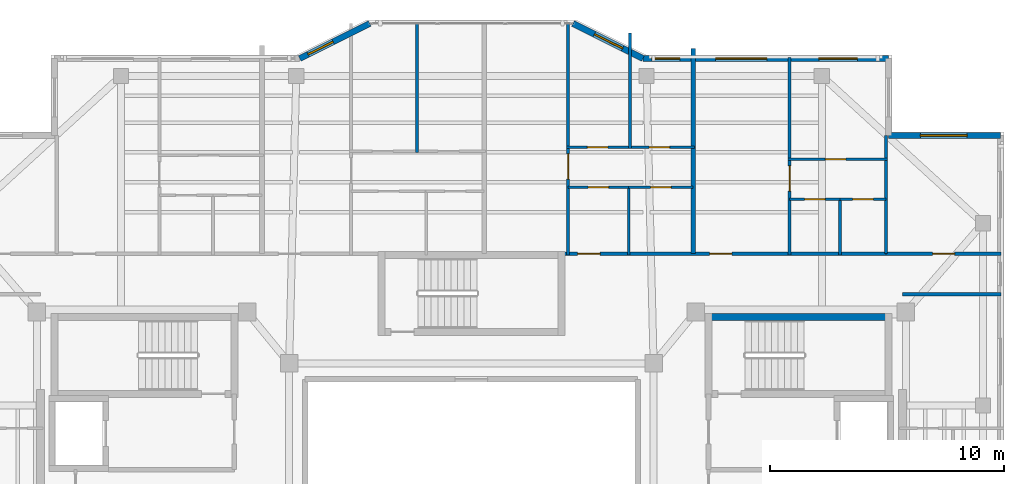
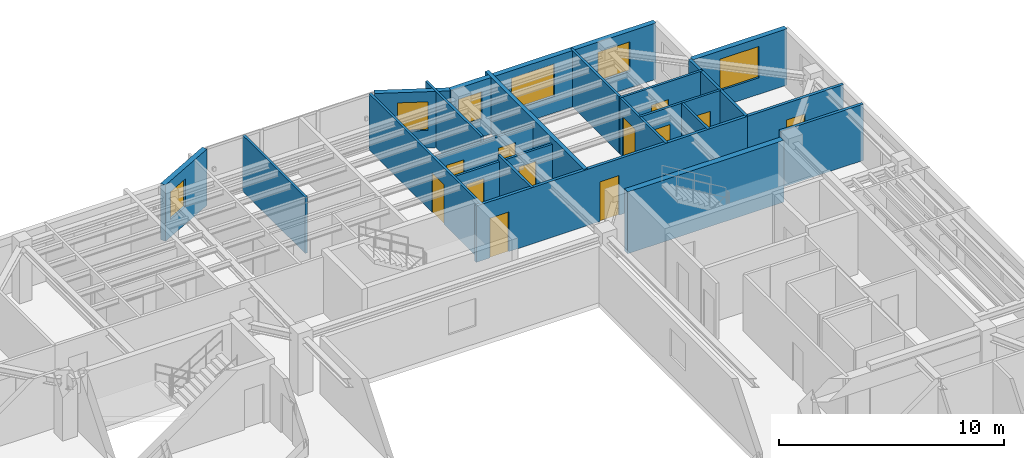
# One storey, part 11 of 15: 22 walls, 12 doors, 6 windows, 18 openings.
"""IFC4 building model written with IfcOpenShell, lengths in metres."""

import ifcopenshell
import ifcopenshell.guid

model = None  # the IFC model being written
_history = None  # IfcOwnerHistory: only IFC2X3 demands one
_inside = {}  # id of a spatial element -> (the spatial element, [elements in it])
_under = {}  # id of a project, library or spatial element -> (it, [spatial elements below it])
_declared = {}  # id of a project -> (the project, [libraries it declares])
_typed = {}  # id of a type object -> (the type object, [elements of that type])
_made_of = {}  # id of a material, layer set ... -> (it, [elements and type objects made of it])


def new_model(schema):
    """Start an empty IFC model of exactly this schema.

    Asked for "IFC4X3", IfcOpenShell would pick the latest addendum, in which some entities
    have other attributes; the version numbers below select the first issue.
    IFC2X3 requires an IfcOwnerHistory on every rooted entity: one is made here for all.
    """
    global model, _history
    if schema == "IFC4X3":
        model = ifcopenshell.file(schema_version=(4, 3, 0, 0))
    else:
        model = ifcopenshell.file(schema=schema)
    _inside.clear()
    _under.clear()
    _declared.clear()
    _typed.clear()
    _made_of.clear()
    _history = None
    if model.schema == "IFC2X3":
        org = make("IfcOrganization", Name="unknown")
        user = make(
            "IfcPersonAndOrganization",
            ThePerson=make("IfcPerson", FamilyName="unknown"),
            TheOrganization=org,
        )
        app = make(
            "IfcApplication",
            ApplicationDeveloper=org,
            Version="unknown",
            ApplicationFullName="unknown",
            ApplicationIdentifier="unknown",
        )
        _history = make(
            "IfcOwnerHistory",
            OwningUser=user,
            OwningApplication=app,
            ChangeAction="ADDED",
            CreationDate=0,
        )
    return model


def make(cls, **values):
    """One entity of the class cls with the attributes given. An attribute that is None is left unset."""
    return model.create_entity(
        cls, **{name: value for name, value in values.items() if value is not None}
    )


def rooted(cls, **values):
    """An entity with a GlobalId (a new one), such as an element, a storey or a relation."""
    return make(cls, GlobalId=ifcopenshell.guid.new(), OwnerHistory=_history, **values)


def si_unit(unit_type, name, prefix=None):
    """IfcSIUnit, for example si_unit("LENGTHUNIT", "METRE", prefix="MILLI")."""
    return make("IfcSIUnit", UnitType=unit_type, Prefix=prefix, Name=name)


def assignment(units):
    """IfcUnitAssignment: the units of a project."""
    return None if units is None else make("IfcUnitAssignment", Units=units)


def point(xyz):
    """IfcCartesianPoint."""
    return None if xyz is None else make("IfcCartesianPoint", Coordinates=xyz)


def direction(xyz):
    """IfcDirection."""
    return None if xyz is None else make("IfcDirection", DirectionRatios=xyz)


def frame(location, z_axis=None, x_axis=None):
    """IfcAxis2Placement3D, a coordinate frame: its origin and axes. An axis left out is left unset."""
    return make(
        "IfcAxis2Placement3D",
        Location=point(location),
        Axis=direction(z_axis),
        RefDirection=direction(x_axis),
    )


def frame_2d(location, x_axis=None):
    """IfcAxis2Placement2D, a coordinate frame in the plane: its origin and x axis."""
    return make(
        "IfcAxis2Placement2D", Location=point(location), RefDirection=direction(x_axis)
    )


def origin():
    """The frame at (0, 0, 0) with its axes left unset."""
    return frame((0.0, 0.0, 0.0))


def place(relative_to, where):
    """IfcLocalPlacement: puts the frame where relative to a parent placement (None: the world)."""
    return make(
        "IfcLocalPlacement", PlacementRelTo=relative_to, RelativePlacement=where
    )


def context(
    kind, dimensions, precision=None, world=None, true_north=None, identifier=None
):
    """IfcGeometricRepresentationContext, for example the 3D "Model" context."""
    return make(
        "IfcGeometricRepresentationContext",
        ContextIdentifier=identifier,
        ContextType=kind,
        CoordinateSpaceDimension=dimensions,
        Precision=precision,
        WorldCoordinateSystem=world,
        TrueNorth=true_north,
    )


def subcontext(parent, identifier, kind, view, scale=None):
    """IfcGeometricRepresentationSubContext, for example "Body" below "Model"."""
    return make(
        "IfcGeometricRepresentationSubContext",
        ContextIdentifier=identifier,
        ContextType=kind,
        ParentContext=parent,
        TargetScale=scale,
        TargetView=view,
    )


def project(units=None, contexts=None):
    """IfcProject with its units and contexts."""
    return rooted(
        "IfcProject",
        Name="project",
        RepresentationContexts=contexts,
        UnitsInContext=assignment(units),
    )


def spatial(cls, under=None, at=None, **own):
    """A site, building, storey or space (cls), placed at a placement, below another one or the project."""
    s = rooted(cls, ObjectPlacement=at, **own)
    if under is not None:
        _under.setdefault(under.id(), (under, []))[1].append(s)
    return s


def profile(cls, at=None, kind="AREA", **sizes):
    """A parametric profile (cls). Its sizes go by their IFC names, for example OverallWidth=200.0."""
    return make(cls, ProfileType=kind, Position=at, **sizes)


def rectangle(**sizes):
    """IfcRectangleProfileDef."""
    return profile("IfcRectangleProfileDef", **sizes)


def extrude(swept, where, along, depth):
    """IfcExtrudedAreaSolid: the profile swept, set in the frame where, extruded along a direction by depth."""
    return make(
        "IfcExtrudedAreaSolid",
        SweptArea=swept,
        Position=where,
        ExtrudedDirection=direction(along),
        Depth=depth,
    )


def shape(context_of_items, identifier, shape_type, items):
    """IfcShapeRepresentation: the items that make up one representation, for example the "Body"."""
    return make(
        "IfcShapeRepresentation",
        ContextOfItems=context_of_items,
        RepresentationIdentifier=identifier,
        RepresentationType=shape_type,
        Items=items,
    )


def material(Name=None, Category=None):
    """IfcMaterial."""
    return make("IfcMaterial", Name=Name, Category=Category)


def layer(
    of_material, thickness, ventilated=None, Name=None, Category=None, Priority=None
):
    """IfcMaterialLayer: one layer of a wall or slab, of a material (None: an air gap)."""
    return make(
        "IfcMaterialLayer",
        Material=of_material,
        LayerThickness=thickness,
        IsVentilated=ventilated,
        Name=Name,
        Category=Category,
        Priority=Priority,
    )


def layer_set(layers, Name=None):
    """IfcMaterialLayerSet."""
    return make("IfcMaterialLayerSet", MaterialLayers=layers, LayerSetName=Name)


def made_of(thing, what):
    """Note that an element or type object is made of a material, layer set ...; save() writes the relation."""
    if what is not None:
        _made_of.setdefault(what.id(), (what, []))[1].append(thing)
    return thing


def type_object(cls, material=None, **own):
    """A type object (cls), such as IfcWallType, which elements share."""
    return made_of(rooted(cls, **own), material)


def element(
    cls,
    number,
    at=None,
    inside=None,
    cuts=None,
    type_object=None,
    material=None,
    context=None,
    identifier="Body",
    shape_type=None,
    held_by="IfcProductDefinitionShape",
    body=None,
    shapes=None,
    **own,
):
    """One element of the class cls, such as IfcWall. Its Tag is "e" and its number.

    at: its placement. inside: the storey or other place that contains it. cuts: it is an
    opening in that element (IfcRelVoidsElement). A single representation is given by context,
    identifier, shape_type and body (its items); several are given by shapes. held_by: the class
    of the entity that holds the representations. save() writes the other relations.
    """
    e = rooted(cls, Tag="e%d" % number, ObjectPlacement=at, **own)
    if body is not None:
        shapes = [shape(context, identifier, shape_type, body)]
    if shapes is not None:
        e.Representation = make(held_by, Representations=shapes)
    if inside is not None:
        _inside.setdefault(inside.id(), (inside, []))[1].append(e)
    if cuts is not None:
        rooted(
            "IfcRelVoidsElement", RelatingBuildingElement=cuts, RelatedOpeningElement=e
        )
    if type_object is not None:
        _typed.setdefault(type_object.id(), (type_object, []))[1].append(e)
    return made_of(e, material)


def fill(opening, filler):
    """IfcRelFillsElement: the door or window that sits in an opening."""
    return rooted(
        "IfcRelFillsElement",
        RelatingOpeningElement=opening,
        RelatedBuildingElement=filler,
    )


def aggregate(whole, parts):
    """IfcRelAggregates: a whole, such as a stair, and the parts it consists of."""
    return rooted("IfcRelAggregates", RelatingObject=whole, RelatedObjects=parts)


def save(model, path):
    """Write the relations noted so far, then the file.

    IfcRelAggregates (storeys below a building ...), IfcRelContainedInSpatialStructure (elements
    in a storey), IfcRelDefinesByType, IfcRelAssociatesMaterial and IfcRelDeclares: one each for
    every whole, place, type object, material and project.
    """
    for whole, parts in _under.values():
        aggregate(whole, parts)
    for where, things in _inside.values():
        rooted(
            "IfcRelContainedInSpatialStructure",
            RelatedElements=things,
            RelatingStructure=where,
        )
    for kind, things in _typed.values():
        rooted("IfcRelDefinesByType", RelatedObjects=things, RelatingType=kind)
    for what, things in _made_of.values():
        rooted("IfcRelAssociatesMaterial", RelatedObjects=things, RelatingMaterial=what)
    for by, libraries in _declared.values():
        rooted("IfcRelDeclares", RelatingContext=by, RelatedDefinitions=libraries)
    model.write(path)


model = new_model("IFC4")

# Units and contexts
model_context = context("Model", 3, precision=1e-05, world=origin(), true_north=direction((0.0, 1.0)))
body_context = subcontext(model_context, "Body", "Model", "MODEL_VIEW")
ifc_project = project(units=[si_unit("LENGTHUNIT", "METRE"), si_unit("AREAUNIT", "SQUARE_METRE"), si_unit("VOLUMEUNIT", "CUBIC_METRE"), si_unit("PLANEANGLEUNIT", "RADIAN"), si_unit("MASSUNIT", "GRAM", prefix="KILO")], contexts=[model_context])

# Site, building, storey
site_placement = place(None, origin())
site = spatial("IfcSite", under=ifc_project, at=site_placement, CompositionType="ELEMENT")
building_placement = place(site_placement, origin())
building = spatial("IfcBuilding", under=site, at=building_placement, Name="Tarnavaz Court Tower", CompositionType="ELEMENT")
storey_placement = place(building_placement, frame((0.0, 0.0, 268.300048828125)))
storey = spatial("IfcBuildingStorey", under=building, at=storey_placement, Name="L73", CompositionType="ELEMENT", Elevation=268.300048828125)

# Wall
ifc_material_1 = material(Name="Concrete C50/60", Category="concrete")
ifc_layer_1 = layer(ifc_material_1, 0.300048828125)
ifc_layer_set_1 = layer_set([ifc_layer_1], Name="Concrete C50/60")
wall_type_1 = type_object("IfcWallType", Name="WL-CORE-300-C50", PredefinedType="SHEAR", material=ifc_layer_set_1)
wall_1_placement = place(storey_placement, frame((10.0, 9.7900390625, 0.0), z_axis=(0.0, 0.0, 1.0), x_axis=(1.0, 0.0, 0.0)))
element("IfcWall", 1, at=wall_1_placement, inside=storey, type_object=wall_type_1, Name="L73 East Stair Core Wall 005", PredefinedType="SHEAR", context=body_context, shape_type="SweptSolid", body=[
    extrude(rectangle(XDim=8.0, YDim=0.300048828125, at=frame_2d((4.0, 0.0))), origin(), (0.0, 0.0, 1.0), 3.349853515625),
])

# Wall, opening, window
ifc_material_2 = material(Name="Precast Concrete C40/50", Category="concrete")
ifc_layer_2 = layer(ifc_material_2, 0.260009765625)
ifc_layer_set_2 = layer_set([ifc_layer_2], Name="Precast Concrete C40/50")
wall_type_2 = type_object("IfcWallType", Name="WL-EXT-260", PredefinedType="SOLIDWALL", material=ifc_layer_set_2)
wall_2_placement = place(storey_placement, frame((-7.35009765625, 20.85009765625, 0.0), z_axis=(0.0, 0.0, 1.0), x_axis=(0.894427191, 0.4472135955, 0.0)))
wall_2 = element("IfcWall", 2, at=wall_2_placement, inside=storey, type_object=wall_type_2, Name="L73 Exterior Terracotta Facade Wall 06", PredefinedType="SOLIDWALL", context=body_context, shape_type="SweptSolid", body=[
    extrude(rectangle(XDim=3.35400390625, YDim=0.260009765625, at=frame_2d((1.677001953125, 0.0))), origin(), (0.0, 0.0, 1.0), 3.050048828125),
])
opening_1_placement = place(wall_2_placement, frame((0.401123046875, 0.0, 0.949951171875)))
opening_1 = element("IfcOpeningElement", 3, at=opening_1_placement, cuts=wall_2, Name="Opening W05", PredefinedType="OPENING", context=body_context, shape_type="SweptSolid", body=[
    extrude(rectangle(XDim=1.199951171875, YDim=1.5, at=frame_2d((0.60009765625, 0.75))), frame((0.0, 0.139892578125, 0.0), z_axis=(0.0, -1.0, 0.0), x_axis=(1.0, 0.0, 0.0)), (0.0, 0.0, 1.0), 0.280029296875),
])
ifc_material_3 = material(Name="Double-Glazed Solar Low-E Glass", Category="glass")
window_type_1 = type_object("IfcWindowType", Name="WN-APT-1200", PartitioningType="SINGLE_PANEL", PredefinedType="WINDOW", material=ifc_material_3)
window_1_placement = place(opening_1_placement, origin())
window_1 = element("IfcWindow", 4, at=window_1_placement, inside=storey, type_object=window_type_1, Name="L73 Flat 02 Living and Dining Room Window", OverallHeight=1.5, OverallWidth=1.199951171875, PartitioningType="SINGLE_PANEL", PredefinedType="WINDOW", context=body_context, shape_type="SweptSolid", body=[
    extrude(rectangle(XDim=1.199951171875, YDim=1.5, at=frame_2d((0.60009765625, 0.75))), frame((0.0, 0.030029296875, 0.0), z_axis=(0.0, -1.0, 0.0), x_axis=(1.0, 0.0, 0.0)), (0.0, 0.0, 1.0), 0.06005859375),
])
fill(opening_1, window_1)

wall_3_placement = place(storey_placement, frame((4.35009765625, 22.35009765625, 0.0), z_axis=(0.0, 0.0, 1.0), x_axis=(0.894427191, -0.4472135955, 0.0)))
wall_3 = element("IfcWall", 5, at=wall_3_placement, inside=storey, type_object=wall_type_2, Name="L73 Exterior Terracotta Facade Wall 08", PredefinedType="SOLIDWALL", context=body_context, shape_type="SweptSolid", body=[
    extrude(rectangle(XDim=3.35400390625, YDim=0.260009765625, at=frame_2d((1.677001953125, 0.0))), origin(), (0.0, 0.0, 1.0), 3.050048828125),
])
opening_2_placement = place(wall_3_placement, frame((1.027099609375, 0.0, 0.949951171875)))
opening_2 = element("IfcOpeningElement", 6, at=opening_2_placement, cuts=wall_3, Name="Opening W04", PredefinedType="OPENING", context=body_context, shape_type="SweptSolid", body=[
    extrude(rectangle(XDim=1.35009765625, YDim=1.550048828125, at=frame_2d((0.675048828125, 0.77490234375))), frame((0.0, 0.139892578125, 0.0), z_axis=(0.0, -1.0, 0.0), x_axis=(1.0, 0.0, 0.0)), (0.0, 0.0, 1.0), 0.280029296875),
])
window_type_2 = type_object("IfcWindowType", Name="WN-APT-1350", PartitioningType="SINGLE_PANEL", PredefinedType="WINDOW", material=ifc_material_3)
window_2_placement = place(opening_2_placement, origin())
window_2 = element("IfcWindow", 7, at=window_2_placement, inside=storey, type_object=window_type_2, Name="L73 Flat 03 Principal Bedroom Window", OverallHeight=1.550048828125, OverallWidth=1.35009765625, PartitioningType="SINGLE_PANEL", PredefinedType="WINDOW", context=body_context, shape_type="SweptSolid", body=[
    extrude(rectangle(XDim=1.35009765625, YDim=1.550048828125, at=frame_2d((0.675048828125, 0.77490234375))), frame((0.0, 0.030029296875, 0.0), z_axis=(0.0, -1.0, 0.0), x_axis=(1.0, 0.0, 0.0)), (0.0, 0.0, 1.0), 0.06005859375),
])
fill(opening_2, window_2)

# Wall, openings, windows
wall_4_placement = place(storey_placement, frame((7.35009765625, 20.85009765625, 0.0), z_axis=(0.0, 0.0, 1.0), x_axis=(1.0, 0.0, 0.0)))
wall_4 = element("IfcWall", 8, at=wall_4_placement, inside=storey, type_object=wall_type_2, Name="L73 Exterior Terracotta Facade Wall 09", PredefinedType="SOLIDWALL", context=body_context, shape_type="SweptSolid", body=[
    extrude(rectangle(XDim=10.5, YDim=0.260009765625, at=frame_2d((5.25, 0.0))), origin(), (0.0, 0.0, 1.0), 3.050048828125),
])
opening_3_placement = place(wall_4_placement, frame((0.3720703125, 0.0, 0.949951171875)))
opening_3 = element("IfcOpeningElement", 9, at=opening_3_placement, cuts=wall_4, Name="Opening W05", PredefinedType="OPENING", context=body_context, shape_type="SweptSolid", body=[
    extrude(rectangle(XDim=1.199951171875, YDim=1.5, at=frame_2d((0.60009765625, 0.75))), frame((0.0, 0.139892578125, 0.0), z_axis=(0.0, -1.0, 0.0), x_axis=(1.0, 0.0, 0.0)), (0.0, 0.0, 1.0), 0.280029296875),
])
opening_4_placement = place(wall_4_placement, frame((3.10009765625, 0.0, 0.89990234375)))
opening_4 = element("IfcOpeningElement", 10, at=opening_4_placement, cuts=wall_4, Name="Opening W07", PredefinedType="OPENING", context=body_context, shape_type="SweptSolid", body=[
    extrude(rectangle(XDim=2.199951171875, YDim=1.75, at=frame_2d((1.10009765625, 0.875))), frame((0.0, 0.139892578125, 0.0), z_axis=(0.0, -1.0, 0.0), x_axis=(1.0, 0.0, 0.0)), (0.0, 0.0, 1.0), 0.280029296875),
])
opening_5_placement = place(wall_4_placement, frame((7.52490234375, 0.0, 0.89990234375)))
opening_5 = element("IfcOpeningElement", 11, at=opening_5_placement, cuts=wall_4, Name="Opening W02", PredefinedType="OPENING", context=body_context, shape_type="SweptSolid", body=[
    extrude(rectangle(XDim=1.64990234375, YDim=1.60009765625, at=frame_2d((0.824951171875, 0.800048828125))), frame((0.0, 0.139892578125, 0.0), z_axis=(0.0, -1.0, 0.0), x_axis=(1.0, 0.0, 0.0)), (0.0, 0.0, 1.0), 0.280029296875),
])
window_3_placement = place(opening_3_placement, origin())
window_3 = element("IfcWindow", 12, at=window_3_placement, inside=storey, type_object=window_type_1, Name="L73 Flat 03 Bedroom 2 Window", OverallHeight=1.5, OverallWidth=1.199951171875, PartitioningType="SINGLE_PANEL", PredefinedType="WINDOW", context=body_context, shape_type="SweptSolid", body=[
    extrude(rectangle(XDim=1.199951171875, YDim=1.5, at=frame_2d((0.60009765625, 0.75))), frame((0.0, 0.030029296875, 0.0), z_axis=(0.0, -1.0, 0.0), x_axis=(1.0, 0.0, 0.0)), (0.0, 0.0, 1.0), 0.06005859375),
])
fill(opening_3, window_3)
window_type_3 = type_object("IfcWindowType", Name="WN-APT-1650", PartitioningType="DOUBLE_PANEL_VERTICAL", PredefinedType="WINDOW", material=ifc_material_3)
window_4_placement = place(opening_5_placement, origin())
window_4 = element("IfcWindow", 13, at=window_4_placement, inside=storey, type_object=window_type_3, Name="L73 Flat 04 Bedroom 1 Window", OverallHeight=1.60009765625, OverallWidth=1.64990234375, PartitioningType="SINGLE_PANEL", PredefinedType="WINDOW", context=body_context, shape_type="SweptSolid", body=[
    extrude(rectangle(XDim=1.64990234375, YDim=1.60009765625, at=frame_2d((0.824951171875, 0.800048828125))), frame((0.0, 0.030029296875, 0.0), z_axis=(0.0, -1.0, 0.0), x_axis=(1.0, 0.0, 0.0)), (0.0, 0.0, 1.0), 0.06005859375),
])
fill(opening_5, window_4)
window_type_4 = type_object("IfcWindowType", Name="WN-APT-2200", PartitioningType="TRIPLE_PANEL_VERTICAL", PredefinedType="WINDOW", material=ifc_material_3)
window_5_placement = place(opening_4_placement, origin())
window_5 = element("IfcWindow", 14, at=window_5_placement, inside=storey, type_object=window_type_4, Name="L73 Flat 04 Living and Dining Room Window", OverallHeight=1.75, OverallWidth=2.199951171875, PartitioningType="SINGLE_PANEL", PredefinedType="WINDOW", context=body_context, shape_type="SweptSolid", body=[
    extrude(rectangle(XDim=2.199951171875, YDim=1.75, at=frame_2d((1.10009765625, 0.875))), frame((0.0, 0.030029296875, 0.0), z_axis=(0.0, -1.0, 0.0), x_axis=(1.0, 0.0, 0.0)), (0.0, 0.0, 1.0), 0.06005859375),
])
fill(opening_4, window_5)

# Wall, opening, window
wall_5_placement = place(storey_placement, frame((17.85009765625, 17.550048828125, 0.0), z_axis=(0.0, 0.0, 1.0), x_axis=(1.0, 0.0, 0.0)))
wall_5 = element("IfcWall", 15, at=wall_5_placement, inside=storey, type_object=wall_type_2, Name="L73 Exterior Terracotta Facade Wall 11", PredefinedType="SOLIDWALL", context=body_context, shape_type="SweptSolid", body=[
    extrude(rectangle(XDim=4.7998046875, YDim=0.260009765625, at=frame_2d((2.39990234375, 0.0))), origin(), (0.0, 0.0, 1.0), 3.050048828125),
])
opening_6_placement = place(wall_5_placement, frame((1.374755859375, 0.0, 0.89990234375)))
opening_6 = element("IfcOpeningElement", 16, at=opening_6_placement, cuts=wall_5, Name="Opening W08", PredefinedType="OPENING", context=body_context, shape_type="SweptSolid", body=[
    extrude(rectangle(XDim=2.0, YDim=1.699951171875, at=frame_2d((1.0, 0.85009765625))), frame((0.0, 0.139892578125, 0.0), z_axis=(0.0, -1.0, 0.0), x_axis=(1.0, 0.0, 0.0)), (0.0, 0.0, 1.0), 0.280029296875),
])
window_type_5 = type_object("IfcWindowType", Name="WN-APT-2000", PartitioningType="DOUBLE_PANEL_VERTICAL", PredefinedType="WINDOW", material=ifc_material_3)
window_6_placement = place(opening_6_placement, origin())
window_6 = element("IfcWindow", 17, at=window_6_placement, inside=storey, type_object=window_type_5, Name="L73 North-East Corner Sunroom Study Window", OverallHeight=1.699951171875, OverallWidth=2.0, PartitioningType="SINGLE_PANEL", PredefinedType="WINDOW", context=body_context, shape_type="SweptSolid", body=[
    extrude(rectangle(XDim=2.0, YDim=1.699951171875, at=frame_2d((1.0, 0.85009765625))), frame((0.0, 0.030029296875, 0.0), z_axis=(0.0, -1.0, 0.0), x_axis=(1.0, 0.0, 0.0)), (0.0, 0.0, 1.0), 0.06005859375),
])
fill(opening_6, window_6)

# Wall, openings, doors
ifc_material_4 = material(Name="Gypsum Fire-Board on Acoustic Metal Stud", Category="masonry")
ifc_layer_3 = layer(ifc_material_4, 0.14990234375)
ifc_layer_set_3 = layer_set([ifc_layer_3], Name="Gypsum Fire-Board on Acoustic Metal Stud")
wall_type_3 = type_object("IfcWallType", Name="WL-FIRE-150", PredefinedType="PARTITIONING", material=ifc_layer_set_3)
wall_6_placement = place(storey_placement, frame((3.85009765625, 12.5, 0.0), z_axis=(0.0, 0.0, 1.0), x_axis=(1.0, 0.0, 0.0)))
wall_6 = element("IfcWall", 18, at=wall_6_placement, inside=storey, type_object=wall_type_3, Name="L73 NE Wing Corridor Wall 061", PredefinedType="PARTITIONING", context=body_context, shape_type="SweptSolid", body=[
    extrude(rectangle(XDim=13.89990234375, YDim=0.14990234375, at=frame_2d((6.949951171875, 0.0))), origin(), (0.0, 0.0, 1.0), 3.050048828125),
])
opening_7_placement = place(wall_6_placement, frame((0.699951171875, 0.0, 0.0)))
opening_7 = element("IfcOpeningElement", 19, at=opening_7_placement, cuts=wall_6, Name="Opening D06", PredefinedType="OPENING", context=body_context, shape_type="SweptSolid", body=[
    extrude(rectangle(XDim=0.9599609375, YDim=2.14990234375, at=frame_2d((0.47998046875, 1.074951171875))), frame((0.0, 0.0849609375, 0.0), z_axis=(0.0, -1.0, 0.0), x_axis=(1.0, 0.0, 0.0)), (0.0, 0.0, 1.0), 0.169921875),
])
opening_8_placement = place(wall_6_placement, frame((6.343994140625, 0.0, 0.0)))
opening_8 = element("IfcOpeningElement", 20, at=opening_8_placement, cuts=wall_6, Name="Opening D06", PredefinedType="OPENING", context=body_context, shape_type="SweptSolid", body=[
    extrude(rectangle(XDim=0.9599609375, YDim=2.14990234375, at=frame_2d((0.47998046875, 1.074951171875))), frame((0.0, 0.0849609375, 0.0), z_axis=(0.0, -1.0, 0.0), x_axis=(1.0, 0.0, 0.0)), (0.0, 0.0, 1.0), 0.169921875),
])
ifc_material_5 = material(Name="Fire-Rated Hardwood Timber Core", Category="wood")
door_type_1 = type_object("IfcDoorType", Name="DR-FD60-950", OperationType="NOTDEFINED", PredefinedType="DOOR", material=ifc_material_5)
door_1_placement = place(opening_7_placement, origin())
door_1 = element("IfcDoor", 21, at=door_1_placement, inside=storey, type_object=door_type_1, Name="L73 Flat 03 Entrance Door", OperationType="SINGLE_SWING_LEFT", OverallHeight=2.14990234375, OverallWidth=0.9599609375, PredefinedType="DOOR", context=body_context, shape_type="SweptSolid", body=[
    extrude(rectangle(XDim=0.9599609375, YDim=2.14990234375, at=frame_2d((0.47998046875, 1.074951171875))), frame((0.0, 0.02490234375, 0.0), z_axis=(0.0, -1.0, 0.0), x_axis=(1.0, 0.0, 0.0)), (0.0, 0.0, 1.0), 0.050048828125),
])
fill(opening_7, door_1)
door_2_placement = place(opening_8_placement, origin())
door_2 = element("IfcDoor", 22, at=door_2_placement, inside=storey, type_object=door_type_1, Name="L73 Flat 04 Entrance Door", OperationType="SINGLE_SWING_LEFT", OverallHeight=2.14990234375, OverallWidth=0.9599609375, PredefinedType="DOOR", context=body_context, shape_type="SweptSolid", body=[
    extrude(rectangle(XDim=0.9599609375, YDim=2.14990234375, at=frame_2d((0.47998046875, 1.074951171875))), frame((0.0, 0.02490234375, 0.0), z_axis=(0.0, -1.0, 0.0), x_axis=(1.0, 0.0, 0.0)), (0.0, 0.0, 1.0), 0.050048828125),
])
fill(opening_8, door_2)

# Wall
wall_7_placement = place(storey_placement, frame((18.449951171875, 10.75, 0.0), z_axis=(0.0, 0.0, 1.0), x_axis=(1.0, 0.0, 0.0)))
element("IfcWall", 23, at=wall_7_placement, inside=storey, type_object=wall_type_3, Name="L73 Interior Partition 114", PredefinedType="PARTITIONING", context=body_context, shape_type="SweptSolid", body=[
    extrude(rectangle(XDim=4.22998046875, YDim=0.14990234375, at=frame_2d((2.114990234375, 0.0))), origin(), (0.0, 0.0, 1.0), 3.050048828125),
])

# Wall, opening, door
wall_8_placement = place(storey_placement, frame((17.75, 12.5, 0.0), z_axis=(0.0, 0.0, 1.0), x_axis=(1.0, 0.0, 0.0)))
wall_8 = element("IfcWall", 24, at=wall_8_placement, inside=storey, type_object=wall_type_3, Name="L73 Interior Partition 120", PredefinedType="PARTITIONING", context=body_context, shape_type="SweptSolid", body=[
    extrude(rectangle(XDim=4.929931640625, YDim=0.14990234375, at=frame_2d((2.46484375, 0.0))), origin(), (0.0, 0.0, 1.0), 3.050048828125),
])
opening_9_placement = place(wall_8_placement, frame((1.989990234375, 0.0, 0.0)))
opening_9 = element("IfcOpeningElement", 25, at=opening_9_placement, cuts=wall_8, Name="Opening D13", PredefinedType="OPENING", context=body_context, shape_type="SweptSolid", body=[
    extrude(rectangle(XDim=0.949951171875, YDim=2.14990234375, at=frame_2d((0.47509765625, 1.074951171875))), frame((0.0, 0.0849609375, 0.0), z_axis=(0.0, -1.0, 0.0), x_axis=(1.0, 0.0, 0.0)), (0.0, 0.0, 1.0), 0.169921875),
])
ifc_material_6 = material(Name="Engineered Oak Timber", Category="wood")
door_type_2 = type_object("IfcDoorType", Name="DR-INT-950", OperationType="NOTDEFINED", PredefinedType="DOOR", material=ifc_material_6)
door_3_placement = place(opening_9_placement, origin())
door_3 = element("IfcDoor", 26, at=door_3_placement, inside=storey, type_object=door_type_2, Name="L73 NE Sunroom Door", OperationType="SINGLE_SWING_RIGHT", OverallHeight=2.14990234375, OverallWidth=0.949951171875, PredefinedType="DOOR", context=body_context, shape_type="SweptSolid", body=[
    extrude(rectangle(XDim=0.949951171875, YDim=2.14990234375, at=frame_2d((0.47509765625, 1.074951171875))), frame((0.0, 0.02490234375, 0.0), z_axis=(0.0, -1.0, 0.0), x_axis=(1.0, 0.0, 0.0)), (0.0, 0.0, 1.0), 0.050048828125),
])
fill(opening_9, door_3)

# Walls
ifc_material_7 = material(Name="Autoclaved Aerated Concrete Blockwork", Category="masonry")
ifc_layer_4 = layer(ifc_material_7, 0.199951171875)
ifc_layer_set_4 = layer_set([ifc_layer_4], Name="Autoclaved Aerated Concrete Blockwork")
wall_type_4 = type_object("IfcWallType", Name="WL-FIRE-200", PredefinedType="SOLIDWALL", material=ifc_layer_set_4)
wall_9_placement = place(storey_placement, frame((9.493896484375, 12.5, 0.0), z_axis=(0.0, 0.0, 1.0), x_axis=(0.0, 1.0, 0.0)))
element("IfcWall", 27, at=wall_9_placement, inside=storey, type_object=wall_type_4, Name="L73 Party Wall 077", PredefinedType="SOLIDWALL", context=body_context, shape_type="SweptSolid", body=[
    extrude(rectangle(XDim=8.77099609375, YDim=0.199951171875, at=frame_2d((4.385498046875, 0.0))), origin(), (0.0, 0.0, 1.0), 3.050048828125),
])
ifc_material_8 = material(Name="Moisture-Resistant Gypsum Board Partition", Category="masonry")
ifc_layer_5 = layer(ifc_material_8, 0.1201171875)
ifc_layer_set_5 = layer_set([ifc_layer_5], Name="Moisture-Resistant Gypsum Board Partition")
wall_type_5 = type_object("IfcWallType", Name="WL-PART-120", PredefinedType="PARTITIONING", material=ifc_layer_set_5)
wall_10_placement = place(storey_placement, frame((-2.3291015625, 16.820068359375, 0.0), z_axis=(0.0, 0.0, 1.0), x_axis=(0.0, 1.0, 0.0)))
element("IfcWall", 28, at=wall_10_placement, inside=storey, type_object=wall_type_5, Name="L73 Interior Partition 076", PredefinedType="PARTITIONING", context=body_context, shape_type="SweptSolid", body=[
    extrude(rectangle(XDim=5.559814453125, YDim=0.1201171875, at=frame_2d((2.77978515625, 0.0))), origin(), (0.0, 0.0, 1.0), 3.050048828125),
])

# Wall, opening, door
wall_11_placement = place(storey_placement, frame((4.139892578125, 12.43994140625, 0.0), z_axis=(0.0, 0.0, 1.0), x_axis=(0.0, 1.0, 0.0)))
wall_11 = element("IfcWall", 29, at=wall_11_placement, inside=storey, type_object=wall_type_5, Name="L73 Interior Partition 078", PredefinedType="PARTITIONING", context=body_context, shape_type="SweptSolid", body=[
    extrude(rectangle(XDim=9.93994140625, YDim=0.1201171875, at=frame_2d((4.969970703125, 0.0))), origin(), (0.0, 0.0, 1.0), 3.050048828125),
])
opening_10_placement = place(wall_11_placement, frame((3.2451171875, 0.0, 0.0)))
opening_10 = element("IfcOpeningElement", 30, at=opening_10_placement, cuts=wall_11, Name="Opening D12", PredefinedType="OPENING", context=body_context, shape_type="SweptSolid", body=[
    extrude(rectangle(XDim=1.080078125, YDim=2.14990234375, at=frame_2d((0.5400390625, 1.074951171875))), frame((0.0, 0.070068359375, 0.0), z_axis=(0.0, -1.0, 0.0), x_axis=(1.0, 0.0, 0.0)), (0.0, 0.0, 1.0), 0.14013671875),
])
door_type_3 = type_object("IfcDoorType", Name="DR-INT-1100", OperationType="NOTDEFINED", PredefinedType="DOOR", material=ifc_material_6)
door_4_placement = place(opening_10_placement, origin())
door_4 = element("IfcDoor", 31, at=door_4_placement, inside=storey, type_object=door_type_3, Name="L73 Flat 03 Foyer Door", OperationType="SINGLE_SWING_RIGHT", OverallHeight=2.14990234375, OverallWidth=1.080078125, PredefinedType="DOOR", context=body_context, shape_type="SweptSolid", body=[
    extrude(rectangle(XDim=1.080078125, YDim=2.14990234375, at=frame_2d((0.5400390625, 1.074951171875))), frame((0.0, 0.02490234375, 0.0), z_axis=(0.0, -1.0, 0.0), x_axis=(1.0, 0.0, 0.0)), (0.0, 0.0, 1.0), 0.050048828125),
])
fill(opening_10, door_4)

wall_12_placement = place(storey_placement, frame((4.139892578125, 15.340087890625, 0.0), z_axis=(0.0, 0.0, 1.0), x_axis=(1.0, 0.0, 0.0)))
wall_12 = element("IfcWall", 32, at=wall_12_placement, inside=storey, type_object=wall_type_5, Name="L73 Interior Partition 079", PredefinedType="PARTITIONING", context=body_context, shape_type="SweptSolid", body=[
    extrude(rectangle(XDim=2.593994140625, YDim=0.1201171875, at=frame_2d((1.296875, 0.0))), origin(), (0.0, 0.0, 1.0), 2.73486328125),
])
opening_11_placement = place(wall_12_placement, frame((0.85693359375, 0.0, 0.0)))
opening_11 = element("IfcOpeningElement", 33, at=opening_11_placement, cuts=wall_12, Name="Opening D14", PredefinedType="OPENING", context=body_context, shape_type="SweptSolid", body=[
    extrude(rectangle(XDim=0.8798828125, YDim=2.10009765625, at=frame_2d((0.43994140625, 1.050048828125))), frame((0.0, 0.070068359375, 0.0), z_axis=(0.0, -1.0, 0.0), x_axis=(1.0, 0.0, 0.0)), (0.0, 0.0, 1.0), 0.14013671875),
])
door_type_4 = type_object("IfcDoorType", Name="DR-INT-900", OperationType="NOTDEFINED", PredefinedType="DOOR", material=ifc_material_6)
door_5_placement = place(opening_11_placement, origin())
door_5 = element("IfcDoor", 34, at=door_5_placement, inside=storey, type_object=door_type_4, Name="L73 Flat 03 Kitchen Door", OperationType="SINGLE_SWING_LEFT", OverallHeight=2.10009765625, OverallWidth=0.8798828125, PredefinedType="DOOR", context=body_context, shape_type="SweptSolid", body=[
    extrude(rectangle(XDim=0.8798828125, YDim=2.10009765625, at=frame_2d((0.43994140625, 1.050048828125))), frame((0.0, 0.02490234375, 0.0), z_axis=(0.0, -1.0, 0.0), x_axis=(1.0, 0.0, 0.0)), (0.0, 0.0, 1.0), 0.050048828125),
])
fill(opening_11, door_5)

wall_13_placement = place(storey_placement, frame((6.73388671875, 15.340087890625, 0.0), z_axis=(0.0, 0.0, 1.0), x_axis=(1.0, 0.0, 0.0)))
wall_13 = element("IfcWall", 35, at=wall_13_placement, inside=storey, type_object=wall_type_5, Name="L73 Interior Partition 080", PredefinedType="PARTITIONING", context=body_context, shape_type="SweptSolid", body=[
    extrude(rectangle(XDim=2.760009765625, YDim=0.1201171875, at=frame_2d((1.3798828125, 0.0))), origin(), (0.0, 0.0, 1.0), 2.73486328125),
])
opening_12_placement = place(wall_13_placement, frame((0.93994140625, 0.0, 0.0)))
opening_12 = element("IfcOpeningElement", 36, at=opening_12_placement, cuts=wall_13, Name="Opening D14", PredefinedType="OPENING", context=body_context, shape_type="SweptSolid", body=[
    extrude(rectangle(XDim=0.8798828125, YDim=2.10009765625, at=frame_2d((0.43994140625, 1.050048828125))), frame((0.0, 0.070068359375, 0.0), z_axis=(0.0, -1.0, 0.0), x_axis=(1.0, 0.0, 0.0)), (0.0, 0.0, 1.0), 0.14013671875),
])
door_6_placement = place(opening_12_placement, origin())
door_6 = element("IfcDoor", 37, at=door_6_placement, inside=storey, type_object=door_type_4, Name="L73 Flat 03 Bathroom Door", OperationType="SINGLE_SWING_RIGHT", OverallHeight=2.10009765625, OverallWidth=0.8798828125, PredefinedType="DOOR", context=body_context, shape_type="SweptSolid", body=[
    extrude(rectangle(XDim=0.8798828125, YDim=2.10009765625, at=frame_2d((0.43994140625, 1.050048828125))), frame((0.0, 0.02490234375, 0.0), z_axis=(0.0, -1.0, 0.0), x_axis=(1.0, 0.0, 0.0)), (0.0, 0.0, 1.0), 0.050048828125),
])
fill(opening_12, door_6)

# Wall, openings, doors
wall_14_placement = place(storey_placement, frame((4.080078125, 17.050048828125, 0.0), z_axis=(0.0, 0.0, 1.0), x_axis=(1.0, 0.0, 0.0)))
wall_14 = element("IfcWall", 38, at=wall_14_placement, inside=storey, type_object=wall_type_5, Name="L73 Interior Partition 081", PredefinedType="PARTITIONING", context=body_context, shape_type="SweptSolid", body=[
    extrude(rectangle(XDim=5.473876953125, YDim=0.1201171875, at=frame_2d((2.73681640625, 0.0))), origin(), (0.0, 0.0, 1.0), 2.73486328125),
])
opening_13_placement = place(wall_14_placement, frame((0.883056640625, 0.0, 0.0)))
opening_13 = element("IfcOpeningElement", 39, at=opening_13_placement, cuts=wall_14, Name="Opening D14", PredefinedType="OPENING", context=body_context, shape_type="SweptSolid", body=[
    extrude(rectangle(XDim=0.8798828125, YDim=2.10009765625, at=frame_2d((0.43994140625, 1.050048828125))), frame((0.0, 0.070068359375, 0.0), z_axis=(0.0, -1.0, 0.0), x_axis=(1.0, 0.0, 0.0)), (0.0, 0.0, 1.0), 0.14013671875),
])
opening_14_placement = place(wall_14_placement, frame((3.530029296875, 0.0, 0.0)))
opening_14 = element("IfcOpeningElement", 40, at=opening_14_placement, cuts=wall_14, Name="Opening D14", PredefinedType="OPENING", context=body_context, shape_type="SweptSolid", body=[
    extrude(rectangle(XDim=0.8798828125, YDim=2.10009765625, at=frame_2d((0.43994140625, 1.050048828125))), frame((0.0, 0.070068359375, 0.0), z_axis=(0.0, -1.0, 0.0), x_axis=(1.0, 0.0, 0.0)), (0.0, 0.0, 1.0), 0.14013671875),
])
door_7_placement = place(opening_13_placement, origin())
door_7 = element("IfcDoor", 41, at=door_7_placement, inside=storey, type_object=door_type_4, Name="L73 Flat 03 Bedroom 1 Door", OperationType="SINGLE_SWING_LEFT", OverallHeight=2.10009765625, OverallWidth=0.8798828125, PredefinedType="DOOR", context=body_context, shape_type="SweptSolid", body=[
    extrude(rectangle(XDim=0.8798828125, YDim=2.10009765625, at=frame_2d((0.43994140625, 1.050048828125))), frame((0.0, 0.02490234375, 0.0), z_axis=(0.0, -1.0, 0.0), x_axis=(1.0, 0.0, 0.0)), (0.0, 0.0, 1.0), 0.050048828125),
])
fill(opening_13, door_7)
door_8_placement = place(opening_14_placement, origin())
door_8 = element("IfcDoor", 42, at=door_8_placement, inside=storey, type_object=door_type_4, Name="L73 Flat 03 Bedroom 2 Door", OperationType="SINGLE_SWING_RIGHT", OverallHeight=2.10009765625, OverallWidth=0.8798828125, PredefinedType="DOOR", context=body_context, shape_type="SweptSolid", body=[
    extrude(rectangle(XDim=0.8798828125, YDim=2.10009765625, at=frame_2d((0.43994140625, 1.050048828125))), frame((0.0, 0.02490234375, 0.0), z_axis=(0.0, -1.0, 0.0), x_axis=(1.0, 0.0, 0.0)), (0.0, 0.0, 1.0), 0.050048828125),
])
fill(opening_14, door_8)

# Walls
wall_15_placement = place(storey_placement, frame((6.73388671875, 12.43994140625, 0.0), z_axis=(0.0, 0.0, 1.0), x_axis=(0.0, 1.0, 0.0)))
element("IfcWall", 43, at=wall_15_placement, inside=storey, type_object=wall_type_5, Name="L73 Interior Partition 082", PredefinedType="PARTITIONING", context=body_context, shape_type="SweptSolid", body=[
    extrude(rectangle(XDim=2.9599609375, YDim=0.1201171875, at=frame_2d((1.47998046875, 0.0))), origin(), (0.0, 0.0, 1.0), 3.050048828125),
])
wall_16_placement = place(storey_placement, frame((6.787109375, 16.989990234375, 0.0), z_axis=(0.0, 0.0, 1.0), x_axis=(0.0, 1.0, 0.0)))
element("IfcWall", 44, at=wall_16_placement, inside=storey, type_object=wall_type_5, Name="L73 Interior Partition 083", PredefinedType="PARTITIONING", context=body_context, shape_type="SweptSolid", body=[
    extrude(rectangle(XDim=4.948974609375, YDim=0.1201171875, at=frame_2d((2.474609375, 0.0))), origin(), (0.0, 0.0, 1.0), 3.050048828125),
])

# Wall, opening, door
wall_17_placement = place(storey_placement, frame((13.6220703125, 12.43994140625, 0.0), z_axis=(0.0, 0.0, 1.0), x_axis=(0.0, 1.0, 0.0)))
wall_17 = element("IfcWall", 45, at=wall_17_placement, inside=storey, type_object=wall_type_5, Name="L73 Interior Partition 084", PredefinedType="PARTITIONING", context=body_context, shape_type="SweptSolid", body=[
    extrude(rectangle(XDim=8.4599609375, YDim=0.1201171875, at=frame_2d((4.22998046875, 0.0))), origin(), (0.0, 0.0, 1.0), 3.050048828125),
])
opening_15_placement = place(wall_17_placement, frame((2.735107421875, 0.0, 0.0)))
opening_15 = element("IfcOpeningElement", 46, at=opening_15_placement, cuts=wall_17, Name="Opening D12", PredefinedType="OPENING", context=body_context, shape_type="SweptSolid", body=[
    extrude(rectangle(XDim=1.080078125, YDim=2.14990234375, at=frame_2d((0.5400390625, 1.074951171875))), frame((0.0, 0.070068359375, 0.0), z_axis=(0.0, -1.0, 0.0), x_axis=(1.0, 0.0, 0.0)), (0.0, 0.0, 1.0), 0.14013671875),
])
door_9_placement = place(opening_15_placement, origin())
door_9 = element("IfcDoor", 47, at=door_9_placement, inside=storey, type_object=door_type_3, Name="L73 Flat 04 Foyer Door", OperationType="SINGLE_SWING_RIGHT", OverallHeight=2.14990234375, OverallWidth=1.080078125, PredefinedType="DOOR", context=body_context, shape_type="SweptSolid", body=[
    extrude(rectangle(XDim=1.080078125, YDim=2.14990234375, at=frame_2d((0.5400390625, 1.074951171875))), frame((0.0, 0.02490234375, 0.0), z_axis=(0.0, -1.0, 0.0), x_axis=(1.0, 0.0, 0.0)), (0.0, 0.0, 1.0), 0.050048828125),
])
fill(opening_15, door_9)

wall_18_placement = place(storey_placement, frame((13.6220703125, 14.830078125, 0.0), z_axis=(0.0, 0.0, 1.0), x_axis=(1.0, 0.0, 0.0)))
wall_18 = element("IfcWall", 48, at=wall_18_placement, inside=storey, type_object=wall_type_5, Name="L73 Interior Partition 085", PredefinedType="PARTITIONING", context=body_context, shape_type="SweptSolid", body=[
    extrude(rectangle(XDim=2.156005859375, YDim=0.1201171875, at=frame_2d((1.078125, 0.0))), origin(), (0.0, 0.0, 1.0), 3.050048828125),
])
opening_16_placement = place(wall_18_placement, frame((0.637939453125, 0.0, 0.0)))
opening_16 = element("IfcOpeningElement", 49, at=opening_16_placement, cuts=wall_18, Name="Opening D14", PredefinedType="OPENING", context=body_context, shape_type="SweptSolid", body=[
    extrude(rectangle(XDim=0.8798828125, YDim=2.10009765625, at=frame_2d((0.43994140625, 1.050048828125))), frame((0.0, 0.070068359375, 0.0), z_axis=(0.0, -1.0, 0.0), x_axis=(1.0, 0.0, 0.0)), (0.0, 0.0, 1.0), 0.14013671875),
])
door_10_placement = place(opening_16_placement, origin())
door_10 = element("IfcDoor", 50, at=door_10_placement, inside=storey, type_object=door_type_4, Name="L73 Flat 04 Kitchen Door", OperationType="SINGLE_SWING_LEFT", OverallHeight=2.10009765625, OverallWidth=0.8798828125, PredefinedType="DOOR", context=body_context, shape_type="SweptSolid", body=[
    extrude(rectangle(XDim=0.8798828125, YDim=2.10009765625, at=frame_2d((0.43994140625, 1.050048828125))), frame((0.0, 0.02490234375, 0.0), z_axis=(0.0, -1.0, 0.0), x_axis=(1.0, 0.0, 0.0)), (0.0, 0.0, 1.0), 0.050048828125),
])
fill(opening_16, door_10)

wall_19_placement = place(storey_placement, frame((15.778076171875, 14.830078125, 0.0), z_axis=(0.0, 0.0, 1.0), x_axis=(1.0, 0.0, 0.0)))
wall_19 = element("IfcWall", 51, at=wall_19_placement, inside=storey, type_object=wall_type_5, Name="L73 Interior Partition 086", PredefinedType="PARTITIONING", context=body_context, shape_type="SweptSolid", body=[
    extrude(rectangle(XDim=1.971923828125, YDim=0.1201171875, at=frame_2d((0.98583984375, 0.0))), origin(), (0.0, 0.0, 1.0), 3.050048828125),
])
opening_17_placement = place(wall_19_placement, frame((0.5458984375, 0.0, 0.0)))
opening_17 = element("IfcOpeningElement", 52, at=opening_17_placement, cuts=wall_19, Name="Opening D14", PredefinedType="OPENING", context=body_context, shape_type="SweptSolid", body=[
    extrude(rectangle(XDim=0.8798828125, YDim=2.10009765625, at=frame_2d((0.43994140625, 1.050048828125))), frame((0.0, 0.070068359375, 0.0), z_axis=(0.0, -1.0, 0.0), x_axis=(1.0, 0.0, 0.0)), (0.0, 0.0, 1.0), 0.14013671875),
])
door_11_placement = place(opening_17_placement, origin())
door_11 = element("IfcDoor", 53, at=door_11_placement, inside=storey, type_object=door_type_4, Name="L73 Flat 04 Bathroom Door", OperationType="SINGLE_SWING_RIGHT", OverallHeight=2.10009765625, OverallWidth=0.8798828125, PredefinedType="DOOR", context=body_context, shape_type="SweptSolid", body=[
    extrude(rectangle(XDim=0.8798828125, YDim=2.10009765625, at=frame_2d((0.43994140625, 1.050048828125))), frame((0.0, 0.02490234375, 0.0), z_axis=(0.0, -1.0, 0.0), x_axis=(1.0, 0.0, 0.0)), (0.0, 0.0, 1.0), 0.050048828125),
])
fill(opening_17, door_11)

wall_20_placement = place(storey_placement, frame((13.56201171875, 16.5400390625, 0.0), z_axis=(0.0, 0.0, 1.0), x_axis=(1.0, 0.0, 0.0)))
wall_20 = element("IfcWall", 54, at=wall_20_placement, inside=storey, type_object=wall_type_5, Name="L73 Interior Partition 087", PredefinedType="PARTITIONING", context=body_context, shape_type="SweptSolid", body=[
    extrude(rectangle(XDim=4.248046875, YDim=0.1201171875, at=frame_2d((2.1240234375, 0.0))), origin(), (0.0, 0.0, 1.0), 3.050048828125),
])
opening_18_placement = place(wall_20_placement, frame((1.593994140625, 0.0, 0.0)))
opening_18 = element("IfcOpeningElement", 55, at=opening_18_placement, cuts=wall_20, Name="Opening D14", PredefinedType="OPENING", context=body_context, shape_type="SweptSolid", body=[
    extrude(rectangle(XDim=0.8798828125, YDim=2.10009765625, at=frame_2d((0.43994140625, 1.050048828125))), frame((0.0, 0.070068359375, 0.0), z_axis=(0.0, -1.0, 0.0), x_axis=(1.0, 0.0, 0.0)), (0.0, 0.0, 1.0), 0.14013671875),
])
door_12_placement = place(opening_18_placement, origin())
door_12 = element("IfcDoor", 56, at=door_12_placement, inside=storey, type_object=door_type_4, Name="L73 Flat 04 Bedroom 1 Door", OperationType="SINGLE_SWING_LEFT", OverallHeight=2.10009765625, OverallWidth=0.8798828125, PredefinedType="DOOR", context=body_context, shape_type="SweptSolid", body=[
    extrude(rectangle(XDim=0.8798828125, YDim=2.10009765625, at=frame_2d((0.43994140625, 1.050048828125))), frame((0.0, 0.02490234375, 0.0), z_axis=(0.0, -1.0, 0.0), x_axis=(1.0, 0.0, 0.0)), (0.0, 0.0, 1.0), 0.050048828125),
])
fill(opening_18, door_12)

# Walls
wall_21_placement = place(storey_placement, frame((15.778076171875, 12.43994140625, 0.0), z_axis=(0.0, 0.0, 1.0), x_axis=(0.0, 1.0, 0.0)))
element("IfcWall", 57, at=wall_21_placement, inside=storey, type_object=wall_type_5, Name="L73 Interior Partition 088", PredefinedType="PARTITIONING", context=body_context, shape_type="SweptSolid", body=[
    extrude(rectangle(XDim=2.449951171875, YDim=0.1201171875, at=frame_2d((1.22509765625, 0.0))), origin(), (0.0, 0.0, 1.0), 3.050048828125),
])
ifc_material_9 = material(Name="Gypsum Plasterboard Acoustic Partition", Category="masonry")
ifc_layer_6 = layer(ifc_material_9, 0.139892578125)
ifc_layer_set_6 = layer_set([ifc_layer_6], Name="Gypsum Plasterboard Acoustic Partition")
wall_type_6 = type_object("IfcWallType", Name="WL-PART-150", PredefinedType="PARTITIONING", material=ifc_layer_set_6)
wall_22_placement = place(storey_placement, frame((17.75, 12.5, 0.0), z_axis=(0.0, 0.0, 1.0), x_axis=(0.0, 1.0, 0.0)))
element("IfcWall", 58, at=wall_22_placement, inside=storey, type_object=wall_type_6, Name="L73 Interior Partition 118", PredefinedType="PARTITIONING", context=body_context, shape_type="SweptSolid", body=[
    extrude(rectangle(XDim=5.050048828125, YDim=0.139892578125, at=frame_2d((2.52490234375, 0.0))), origin(), (0.0, 0.0, 1.0), 3.050048828125),
])

save(model, "model.ifc")
